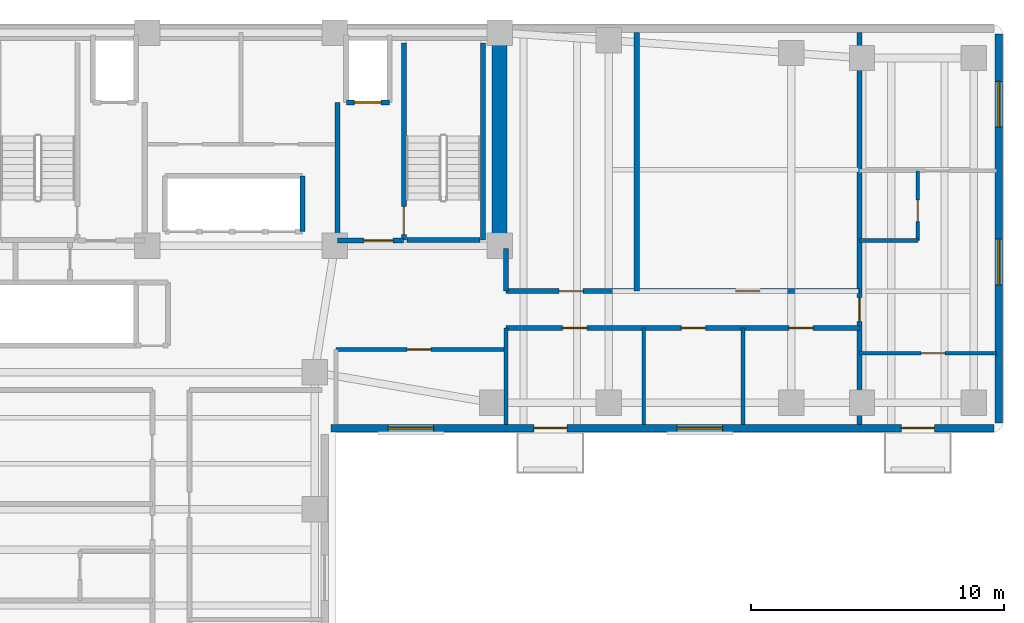
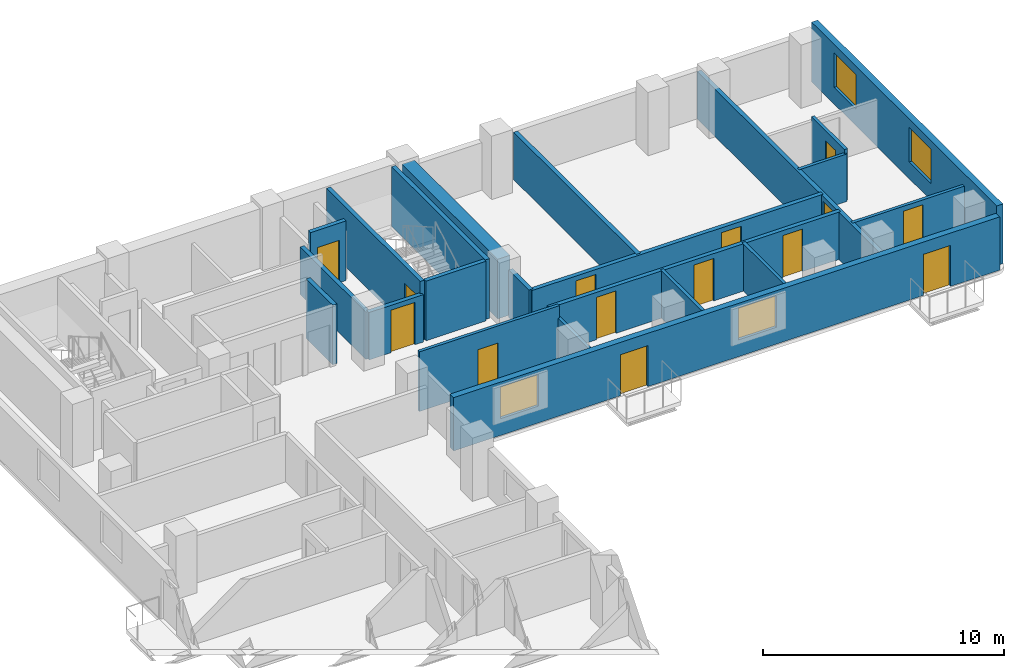
# One storey, part 4 of 7: 22 walls, 14 doors, 4 windows, 18 openings.
"""IFC4 building model written with IfcOpenShell, lengths in metres."""

from ifc_helpers import new_model, si_unit, direction, frame, frame_2d, origin, place, context, subcontext, project, spatial, rectangle, extrude, material, layer, layer_set, type_object, element, fill, save


model = new_model("IFC4")

# Units and contexts
model_context = context("Model", 3, precision=1e-05, world=origin(), true_north=direction((0.0, 1.0)))
body_context = subcontext(model_context, "Body", "Model", "MODEL_VIEW")
ifc_project = project(units=[si_unit("LENGTHUNIT", "METRE"), si_unit("AREAUNIT", "SQUARE_METRE"), si_unit("VOLUMEUNIT", "CUBIC_METRE"), si_unit("PLANEANGLEUNIT", "RADIAN"), si_unit("MASSUNIT", "GRAM", prefix="KILO")], contexts=[model_context])

# Site, building, storey
site_placement = place(None, origin())
site = spatial("IfcSite", under=ifc_project, at=site_placement, CompositionType="ELEMENT")
building_placement = place(site_placement, origin())
building = spatial("IfcBuilding", under=site, at=building_placement, Name="Kuzgunbayir Cultural Tower", CompositionType="ELEMENT")
storey_placement = place(building_placement, frame((0.0, 0.0, 110.60009765625)))
storey = spatial("IfcBuildingStorey", under=building, at=storey_placement, Name="L31", CompositionType="ELEMENT", Elevation=110.60009765625)

# Wall
ifc_material_1 = material(Name="Concrete C60/75", Category="concrete")
ifc_layer_1 = layer(ifc_material_1, 0.60009765625)
ifc_layer_set_1 = layer_set([ifc_layer_1], Name="Concrete C60/75")
wall_type_1 = type_object("IfcWallType", Name="WAL-CORE-600", PredefinedType="SHEAR", material=ifc_layer_set_1)
wall_1_placement = place(storey_placement, frame((26.89990234375, 33.800048828125, 0.0), z_axis=(0.0, 0.0, 1.0), x_axis=(0.0, 1.0, 0.0)))
element("IfcWall", 1, at=wall_1_placement, inside=storey, type_object=wall_type_1, Name="L31 T1 Core East Shear Wall", PredefinedType="SHEAR", context=body_context, shape_type="SweptSolid", body=[
    extrude(rectangle(XDim=7.949951171875, YDim=0.60009765625, at=frame_2d((3.97509765625, 0.0))), origin(), (0.0, 0.0, 1.0), 3.02001953125),
])

# Wall, openings, doors, windows
ifc_material_2 = material(Name="Anatolian Cream Limestone", Category="masonry")
ifc_layer_2 = layer(ifc_material_2, 0.300048828125)
ifc_layer_set_2 = layer_set([ifc_layer_2], Name="Anatolian Cream Limestone")
wall_type_2 = type_object("IfcWallType", Name="WAL-EXT-STONE-300", PredefinedType="STANDARD", material=ifc_layer_set_2)
wall_2_placement = place(storey_placement, frame((20.25, 26.60009765625, 0.0), z_axis=(0.0, 0.0, 1.0), x_axis=(1.0, 0.0, 0.0)))
wall_2 = element("IfcWall", 2, at=wall_2_placement, inside=storey, type_object=wall_type_2, Name="L31 Wing B South Limestone Wall", PredefinedType="STANDARD", context=body_context, shape_type="SweptSolid", body=[
    extrude(rectangle(XDim=26.14990234375, YDim=0.300048828125, at=frame_2d((13.074951171875, 0.0))), origin(), (0.0, 0.0, 1.0), 2.699951171875),
])
opening_1_placement = place(wall_2_placement, frame((8.0, 0.0, 0.0)))
opening_1 = element("IfcOpeningElement", 3, at=opening_1_placement, cuts=wall_2, Name="Opening BD-13", PredefinedType="OPENING", context=body_context, shape_type="SweptSolid", body=[
    extrude(rectangle(XDim=1.300048828125, YDim=2.080078125, at=frame_2d((0.64990234375, 1.0400390625))), frame((0.0, 0.16015625, 0.0), z_axis=(0.0, -1.0, 0.0), x_axis=(1.0, 0.0, 0.0)), (0.0, 0.0, 1.0), 0.320068359375),
])
opening_2_placement = place(wall_2_placement, frame((22.5, 0.0, 0.0)))
opening_2 = element("IfcOpeningElement", 4, at=opening_2_placement, cuts=wall_2, Name="Opening BD-13", PredefinedType="OPENING", context=body_context, shape_type="SweptSolid", body=[
    extrude(rectangle(XDim=1.300048828125, YDim=2.080078125, at=frame_2d((0.64990234375, 1.0400390625))), frame((0.0, 0.16015625, 0.0), z_axis=(0.0, -1.0, 0.0), x_axis=(1.0, 0.0, 0.0)), (0.0, 0.0, 1.0), 0.320068359375),
])
opening_3_placement = place(wall_2_placement, frame((2.25, 0.0, 0.85009765625)))
opening_3 = element("IfcOpeningElement", 5, at=opening_3_placement, cuts=wall_2, Name="Opening WH-18", PredefinedType="OPENING", context=body_context, shape_type="SweptSolid", body=[
    extrude(rectangle(XDim=1.800048828125, YDim=1.60009765625, at=frame_2d((0.89990234375, 0.800048828125))), frame((0.0, 0.16015625, 0.0), z_axis=(0.0, -1.0, 0.0), x_axis=(1.0, 0.0, 0.0)), (0.0, 0.0, 1.0), 0.320068359375),
])
opening_4_placement = place(wall_2_placement, frame((13.64990234375, 0.0, 0.85009765625)))
opening_4 = element("IfcOpeningElement", 6, at=opening_4_placement, cuts=wall_2, Name="Opening WH-18", PredefinedType="OPENING", context=body_context, shape_type="SweptSolid", body=[
    extrude(rectangle(XDim=1.800048828125, YDim=1.60009765625, at=frame_2d((0.89990234375, 0.800048828125))), frame((0.0, 0.16015625, 0.0), z_axis=(0.0, -1.0, 0.0), x_axis=(1.0, 0.0, 0.0)), (0.0, 0.0, 1.0), 0.320068359375),
])
ifc_material_3 = material(Name="Thermally Broken Glazed Aluminium", Category="aluminium")
door_type_1 = type_object("IfcDoorType", Name="DR-BALCONY-135", OperationType="SLIDING_TO_LEFT", PredefinedType="DOOR", material=ifc_material_3)
door_1_placement = place(opening_1_placement, origin())
door_1 = element("IfcDoor", 7, at=door_1_placement, inside=storey, type_object=door_type_1, Name="L31 South Balcony Sliding Door BAL-L31-WB1", OperationType="SLIDING_TO_LEFT", OverallHeight=2.080078125, OverallWidth=1.300048828125, PredefinedType="DOOR", context=body_context, shape_type="SweptSolid", body=[
    extrude(rectangle(XDim=1.300048828125, YDim=2.080078125, at=frame_2d((0.64990234375, 1.0400390625))), frame((0.0, 0.02490234375, 0.0), z_axis=(0.0, -1.0, 0.0), x_axis=(1.0, 0.0, 0.0)), (0.0, 0.0, 1.0), 0.050048828125),
])
fill(opening_1, door_1)
door_2_placement = place(opening_2_placement, origin())
door_2 = element("IfcDoor", 8, at=door_2_placement, inside=storey, type_object=door_type_1, Name="L31 South Balcony Sliding Door BAL-L31-WB3", OperationType="SLIDING_TO_LEFT", OverallHeight=2.080078125, OverallWidth=1.300048828125, PredefinedType="DOOR", context=body_context, shape_type="SweptSolid", body=[
    extrude(rectangle(XDim=1.300048828125, YDim=2.080078125, at=frame_2d((0.64990234375, 1.0400390625))), frame((0.0, 0.02490234375, 0.0), z_axis=(0.0, -1.0, 0.0), x_axis=(1.0, 0.0, 0.0)), (0.0, 0.0, 1.0), 0.050048828125),
])
fill(opening_2, door_2)
ifc_material_4 = material(Name="Solar-Control Triple Glazing", Category="glass")
window_type = type_object("IfcWindowType", Name="WIN-HOTEL-18", PartitioningType="SINGLE_PANEL", PredefinedType="WINDOW", material=ifc_material_4)
window_1_placement = place(opening_3_placement, origin())
window_1 = element("IfcWindow", 9, at=window_1_placement, inside=storey, type_object=window_type, Name="L31 WBS Facade Window 11", OverallHeight=1.60009765625, OverallWidth=1.800048828125, PartitioningType="SINGLE_PANEL", PredefinedType="WINDOW", context=body_context, shape_type="SweptSolid", body=[
    extrude(rectangle(XDim=1.800048828125, YDim=1.60009765625, at=frame_2d((0.89990234375, 0.800048828125))), frame((0.0, 0.030029296875, 0.0), z_axis=(0.0, -1.0, 0.0), x_axis=(1.0, 0.0, 0.0)), (0.0, 0.0, 1.0), 0.06005859375),
])
fill(opening_3, window_1)
window_2_placement = place(opening_4_placement, origin())
window_2 = element("IfcWindow", 10, at=window_2_placement, inside=storey, type_object=window_type, Name="L31 WBS Facade Window 12", OverallHeight=1.60009765625, OverallWidth=1.800048828125, PartitioningType="SINGLE_PANEL", PredefinedType="WINDOW", context=body_context, shape_type="SweptSolid", body=[
    extrude(rectangle(XDim=1.800048828125, YDim=1.60009765625, at=frame_2d((0.89990234375, 0.800048828125))), frame((0.0, 0.030029296875, 0.0), z_axis=(0.0, -1.0, 0.0), x_axis=(1.0, 0.0, 0.0)), (0.0, 0.0, 1.0), 0.06005859375),
])
fill(opening_4, window_2)

# Wall, openings, windows
wall_3_placement = place(storey_placement, frame((46.60009765625, 26.800048828125, 0.0), z_axis=(0.0, 0.0, 1.0), x_axis=(0.0, 1.0, 0.0)))
wall_3 = element("IfcWall", 11, at=wall_3_placement, inside=storey, type_object=wall_type_2, Name="L31 Wing B East Limestone Wall", PredefinedType="STANDARD", context=body_context, shape_type="SweptSolid", body=[
    extrude(rectangle(XDim=15.349853515625, YDim=0.300048828125, at=frame_2d((7.6748046875, 0.0))), origin(), (0.0, 0.0, 1.0), 3.02001953125),
])
opening_5_placement = place(wall_3_placement, frame((5.449951171875, 0.0, 0.85009765625)))
opening_5 = element("IfcOpeningElement", 12, at=opening_5_placement, cuts=wall_3, Name="Opening WH-18", PredefinedType="OPENING", context=body_context, shape_type="SweptSolid", body=[
    extrude(rectangle(XDim=1.800048828125, YDim=1.75, at=frame_2d((0.89990234375, 0.875))), frame((0.0, 0.16015625, 0.0), z_axis=(0.0, -1.0, 0.0), x_axis=(1.0, 0.0, 0.0)), (0.0, 0.0, 1.0), 0.320068359375),
])
opening_6_placement = place(wall_3_placement, frame((11.679931640625, 0.0, 0.85009765625)))
opening_6 = element("IfcOpeningElement", 13, at=opening_6_placement, cuts=wall_3, Name="Opening WH-18", PredefinedType="OPENING", context=body_context, shape_type="SweptSolid", body=[
    extrude(rectangle(XDim=1.800048828125, YDim=1.75, at=frame_2d((0.89990234375, 0.875))), frame((0.0, 0.16015625, 0.0), z_axis=(0.0, -1.0, 0.0), x_axis=(1.0, 0.0, 0.0)), (0.0, 0.0, 1.0), 0.320068359375),
])
window_3_placement = place(opening_5_placement, origin())
window_3 = element("IfcWindow", 14, at=window_3_placement, inside=storey, type_object=window_type, Name="L31 WBE Facade Window 4", OverallHeight=1.75, OverallWidth=1.800048828125, PartitioningType="SINGLE_PANEL", PredefinedType="WINDOW", context=body_context, shape_type="SweptSolid", body=[
    extrude(rectangle(XDim=1.800048828125, YDim=1.75, at=frame_2d((0.89990234375, 0.875))), frame((0.0, 0.030029296875, 0.0), z_axis=(0.0, -1.0, 0.0), x_axis=(1.0, 0.0, 0.0)), (0.0, 0.0, 1.0), 0.06005859375),
])
fill(opening_5, window_3)
window_4_placement = place(opening_6_placement, origin())
window_4 = element("IfcWindow", 15, at=window_4_placement, inside=storey, type_object=window_type, Name="L31 WBE Facade Window 5", OverallHeight=1.75, OverallWidth=1.800048828125, PartitioningType="SINGLE_PANEL", PredefinedType="WINDOW", context=body_context, shape_type="SweptSolid", body=[
    extrude(rectangle(XDim=1.800048828125, YDim=1.75, at=frame_2d((0.89990234375, 0.875))), frame((0.0, 0.030029296875, 0.0), z_axis=(0.0, -1.0, 0.0), x_axis=(1.0, 0.0, 0.0)), (0.0, 0.0, 1.0), 0.06005859375),
])
fill(opening_6, window_4)

# Wall, opening, door
ifc_material_5 = material(Name="Acoustic Double-Stud Drywall", Category="gypsum")
ifc_layer_3 = layer(ifc_material_5, 0.14990234375)
ifc_layer_set_3 = layer_set([ifc_layer_3], Name="Acoustic Double-Stud Drywall")
wall_type_3 = type_object("IfcWallType", Name="WAL-PART-ACOUSTIC-150", PredefinedType="PARTITIONING", material=ifc_layer_set_3)
wall_4_placement = place(storey_placement, frame((20.449951171875, 29.699951171875, 0.0), z_axis=(0.0, 0.0, 1.0), x_axis=(1.0, 0.0, 0.0)))
wall_4 = element("IfcWall", 16, at=wall_4_placement, inside=storey, type_object=wall_type_3, Name="L31 Waist Alcove North Wall", PredefinedType="PARTITIONING", context=body_context, shape_type="SweptSolid", body=[
    extrude(rectangle(XDim=6.699951171875, YDim=0.14990234375, at=frame_2d((3.35009765625, 0.0))), origin(), (0.0, 0.0, 1.0), 3.02001953125),
])
opening_7_placement = place(wall_4_placement, frame((2.800048828125, 0.0, 0.0)))
opening_7 = element("IfcOpeningElement", 17, at=opening_7_placement, cuts=wall_4, Name="Opening DI-90", PredefinedType="OPENING", context=body_context, shape_type="SweptSolid", body=[
    extrude(rectangle(XDim=0.949951171875, YDim=2.14990234375, at=frame_2d((0.47509765625, 1.074951171875))), frame((0.0, 0.0849609375, 0.0), z_axis=(0.0, -1.0, 0.0), x_axis=(1.0, 0.0, 0.0)), (0.0, 0.0, 1.0), 0.169921875),
])
ifc_material_6 = material(Name="Veneered Oak Single Leaf", Category="wood")
door_type_2 = type_object("IfcDoorType", Name="DR-INT-90", OperationType="NOTDEFINED", PredefinedType="DOOR", material=ifc_material_6)
door_3_placement = place(opening_7_placement, origin())
door_3 = element("IfcDoor", 18, at=door_3_placement, inside=storey, type_object=door_type_2, Name="L31 Waist Alcove Door", OperationType="SINGLE_SWING_RIGHT", OverallHeight=2.14990234375, OverallWidth=0.949951171875, PredefinedType="DOOR", context=body_context, shape_type="SweptSolid", body=[
    extrude(rectangle(XDim=0.949951171875, YDim=2.14990234375, at=frame_2d((0.47509765625, 1.074951171875))), frame((0.0, 0.02490234375, 0.0), z_axis=(0.0, -1.0, 0.0), x_axis=(1.0, 0.0, 0.0)), (0.0, 0.0, 1.0), 0.050048828125),
])
fill(opening_7, door_3)

# Walls
for number, where, z_axis, x_axis, name in (
    (19, (27.14990234375, 26.75, 0.0), (0.0, 0.0, 1.0), (0.0, 1.0, 0.0), "L31 Waist Alcove East Wall"),
    (20, (32.590087890625, 26.75, 0.0), (0.0, 0.0, 1.0), (0.0, 1.0, 0.0), "L31 Wing B South Divider 1"),
    (21, (36.5, 26.75, 0.0), (0.0, 0.0, 1.0), (0.0, 1.0, 0.0), "L31 Wing B South Divider 2"),
):
    element("IfcWall", number, at=place(storey_placement, frame(where, z_axis=z_axis, x_axis=x_axis)), inside=storey, type_object=wall_type_3, Name=name, PredefinedType="PARTITIONING", context=body_context, shape_type="SweptSolid", body=[
        extrude(rectangle(XDim=3.800048828125, YDim=0.14990234375, at=frame_2d((1.89990234375, 0.0))), origin(), (0.0, 0.0, 1.0), 2.39990234375),
    ])
ifc_material_7 = material(Name="Aerated Concrete Blockwork", Category="masonry")
ifc_layer_4 = layer(ifc_material_7, 0.199951171875)
ifc_layer_set_4 = layer_set([ifc_layer_4], Name="Aerated Concrete Blockwork")
wall_type_4 = type_object("IfcWallType", Name="WAL-PART-FIRE-200", PredefinedType="PARTITIONING", material=ifc_layer_set_4)
wall_5_placement = place(storey_placement, frame((20.5, 34.0, 0.0), z_axis=(0.0, 0.0, 1.0), x_axis=(0.0, 1.0, 0.0)))
element("IfcWall", 22, at=wall_5_placement, inside=storey, type_object=wall_type_4, Name="L31 FFL-2 Lobby West Fire Wall", PredefinedType="PARTITIONING", context=body_context, shape_type="SweptSolid", body=[
    extrude(rectangle(XDim=5.449951171875, YDim=0.199951171875, at=frame_2d((2.72509765625, 0.0))), origin(), (0.0, 0.0, 1.0), 2.39990234375),
])

# Wall, opening, door
wall_6_placement = place(storey_placement, frame((20.5, 34.0, 0.0), z_axis=(0.0, 0.0, 1.0), x_axis=(1.0, 0.0, 0.0)))
wall_6 = element("IfcWall", 23, at=wall_6_placement, inside=storey, type_object=wall_type_4, Name="L31 FFL-2 Lobby South Fire Wall", PredefinedType="PARTITIONING", context=body_context, shape_type="SweptSolid", body=[
    extrude(rectangle(XDim=2.60009765625, YDim=0.199951171875, at=frame_2d((1.300048828125, 0.0))), origin(), (0.0, 0.0, 1.0), 2.39990234375),
])
opening_8_placement = place(wall_6_placement, frame((1.050048828125, 0.0, 0.0)))
opening_8 = element("IfcOpeningElement", 24, at=opening_8_placement, cuts=wall_6, Name="Opening DR-FFL-90", PredefinedType="OPENING", context=body_context, shape_type="SweptSolid", body=[
    extrude(rectangle(XDim=1.14990234375, YDim=2.14990234375, at=frame_2d((0.574951171875, 1.074951171875))), frame((0.0, 0.10986328125, 0.0), z_axis=(0.0, -1.0, 0.0), x_axis=(1.0, 0.0, 0.0)), (0.0, 0.0, 1.0), 0.219970703125),
])
ifc_material_8 = material(Name="Steel S355J2", Category="steel")
door_type_3 = type_object("IfcDoorType", Name="DR-FFL-90", OperationType="NOTDEFINED", PredefinedType="DOOR", material=ifc_material_8)
door_4_placement = place(opening_8_placement, origin())
door_4 = element("IfcDoor", 25, at=door_4_placement, inside=storey, type_object=door_type_3, Name="L31 Firefighting Lobby 2 Door", OperationType="SINGLE_SWING_RIGHT", OverallHeight=2.14990234375, OverallWidth=1.14990234375, PredefinedType="DOOR", context=body_context, shape_type="SweptSolid", body=[
    extrude(rectangle(XDim=1.14990234375, YDim=2.14990234375, at=frame_2d((0.574951171875, 1.074951171875))), frame((0.0, 0.02490234375, 0.0), z_axis=(0.0, -1.0, 0.0), x_axis=(1.0, 0.0, 0.0)), (0.0, 0.0, 1.0), 0.050048828125),
])
fill(opening_8, door_4)

# Wall, openings, doors
wall_7_placement = place(storey_placement, frame((27.14990234375, 30.550048828125, 0.0), z_axis=(0.0, 0.0, 1.0), x_axis=(1.0, 0.0, 0.0)))
wall_7 = element("IfcWall", 26, at=wall_7_placement, inside=storey, type_object=wall_type_4, Name="L31 Wing B Hotel Corridor South Wall", PredefinedType="PARTITIONING", context=body_context, shape_type="SweptSolid", body=[
    extrude(rectangle(XDim=13.9501953125, YDim=0.199951171875, at=frame_2d((6.97509765625, 0.0))), origin(), (0.0, 0.0, 1.0), 2.39990234375),
])
opening_9_placement = place(wall_7_placement, frame((2.239990234375, 0.0, 0.0)))
opening_9 = element("IfcOpeningElement", 27, at=opening_9_placement, cuts=wall_7, Name="Opening DI-90", PredefinedType="OPENING", context=body_context, shape_type="SweptSolid", body=[
    extrude(rectangle(XDim=0.949951171875, YDim=2.14990234375, at=frame_2d((0.47509765625, 1.074951171875))), frame((0.0, 0.10986328125, 0.0), z_axis=(0.0, -1.0, 0.0), x_axis=(1.0, 0.0, 0.0)), (0.0, 0.0, 1.0), 0.219970703125),
])
opening_10_placement = place(wall_7_placement, frame((6.919921875, 0.0, 0.0)))
opening_10 = element("IfcOpeningElement", 28, at=opening_10_placement, cuts=wall_7, Name="Opening DI-90", PredefinedType="OPENING", context=body_context, shape_type="SweptSolid", body=[
    extrude(rectangle(XDim=0.949951171875, YDim=2.14990234375, at=frame_2d((0.47509765625, 1.074951171875))), frame((0.0, 0.10986328125, 0.0), z_axis=(0.0, -1.0, 0.0), x_axis=(1.0, 0.0, 0.0)), (0.0, 0.0, 1.0), 0.219970703125),
])
opening_11_placement = place(wall_7_placement, frame((11.169921875, 0.0, 0.0)))
opening_11 = element("IfcOpeningElement", 29, at=opening_11_placement, cuts=wall_7, Name="Opening DI-90", PredefinedType="OPENING", context=body_context, shape_type="SweptSolid", body=[
    extrude(rectangle(XDim=0.949951171875, YDim=2.14990234375, at=frame_2d((0.47509765625, 1.074951171875))), frame((0.0, 0.10986328125, 0.0), z_axis=(0.0, -1.0, 0.0), x_axis=(1.0, 0.0, 0.0)), (0.0, 0.0, 1.0), 0.219970703125),
])
door_5_placement = place(opening_9_placement, origin())
door_5 = element("IfcDoor", 30, at=door_5_placement, inside=storey, type_object=door_type_2, Name="L31 Seminar Boardroom B1 Door", OperationType="SINGLE_SWING_LEFT", OverallHeight=2.14990234375, OverallWidth=0.949951171875, PredefinedType="DOOR", context=body_context, shape_type="SweptSolid", body=[
    extrude(rectangle(XDim=0.949951171875, YDim=2.14990234375, at=frame_2d((0.47509765625, 1.074951171875))), frame((0.0, 0.02490234375, 0.0), z_axis=(0.0, -1.0, 0.0), x_axis=(1.0, 0.0, 0.0)), (0.0, 0.0, 1.0), 0.050048828125),
])
fill(opening_9, door_5)
door_6_placement = place(opening_10_placement, origin())
door_6 = element("IfcDoor", 31, at=door_6_placement, inside=storey, type_object=door_type_2, Name="L31 Seminar Boardroom B2 Door", OperationType="SINGLE_SWING_RIGHT", OverallHeight=2.14990234375, OverallWidth=0.949951171875, PredefinedType="DOOR", context=body_context, shape_type="SweptSolid", body=[
    extrude(rectangle(XDim=0.949951171875, YDim=2.14990234375, at=frame_2d((0.47509765625, 1.074951171875))), frame((0.0, 0.02490234375, 0.0), z_axis=(0.0, -1.0, 0.0), x_axis=(1.0, 0.0, 0.0)), (0.0, 0.0, 1.0), 0.050048828125),
])
fill(opening_10, door_6)
door_7_placement = place(opening_11_placement, origin())
door_7 = element("IfcDoor", 32, at=door_7_placement, inside=storey, type_object=door_type_2, Name="L31 Seminar Boardroom B3 Door", OperationType="SINGLE_SWING_LEFT", OverallHeight=2.14990234375, OverallWidth=0.949951171875, PredefinedType="DOOR", context=body_context, shape_type="SweptSolid", body=[
    extrude(rectangle(XDim=0.949951171875, YDim=2.14990234375, at=frame_2d((0.47509765625, 1.074951171875))), frame((0.0, 0.02490234375, 0.0), z_axis=(0.0, -1.0, 0.0), x_axis=(1.0, 0.0, 0.0)), (0.0, 0.0, 1.0), 0.050048828125),
])
fill(opening_11, door_7)

wall_8_placement = place(storey_placement, frame((27.14990234375, 32.0, 0.0), z_axis=(0.0, 0.0, 1.0), x_axis=(1.0, 0.0, 0.0)))
wall_8 = element("IfcWall", 33, at=wall_8_placement, inside=storey, type_object=wall_type_4, Name="L31 Wing B Hotel Corridor North Wall", PredefinedType="PARTITIONING", context=body_context, shape_type="SweptSolid", body=[
    extrude(rectangle(XDim=13.9501953125, YDim=0.199951171875, at=frame_2d((6.97509765625, 0.0))), origin(), (0.0, 0.0, 1.0), 2.39990234375),
])
opening_12_placement = place(wall_8_placement, frame((2.10009765625, 0.0, 0.0)))
opening_12 = element("IfcOpeningElement", 34, at=opening_12_placement, cuts=wall_8, Name="Opening DI-90", PredefinedType="OPENING", context=body_context, shape_type="SweptSolid", body=[
    extrude(rectangle(XDim=0.949951171875, YDim=2.14990234375, at=frame_2d((0.47509765625, 1.074951171875))), frame((0.0, 0.10986328125, 0.0), z_axis=(0.0, -1.0, 0.0), x_axis=(1.0, 0.0, 0.0)), (0.0, 0.0, 1.0), 0.219970703125),
])
opening_13_placement = place(wall_8_placement, frame((9.070068359375, 0.0, 0.0)))
opening_13 = element("IfcOpeningElement", 35, at=opening_13_placement, cuts=wall_8, Name="Opening DI-90", PredefinedType="OPENING", context=body_context, shape_type="SweptSolid", body=[
    extrude(rectangle(XDim=0.949951171875, YDim=2.14990234375, at=frame_2d((0.47509765625, 1.074951171875))), frame((0.0, 0.10986328125, 0.0), z_axis=(0.0, -1.0, 0.0), x_axis=(1.0, 0.0, 0.0)), (0.0, 0.0, 1.0), 0.219970703125),
])
door_8_placement = place(opening_12_placement, origin())
door_8 = element("IfcDoor", 36, at=door_8_placement, inside=storey, type_object=door_type_2, Name="L31 North Seminar Boardroom 1 Door", OperationType="SINGLE_SWING_RIGHT", OverallHeight=2.14990234375, OverallWidth=0.949951171875, PredefinedType="DOOR", context=body_context, shape_type="SweptSolid", body=[
    extrude(rectangle(XDim=0.949951171875, YDim=2.14990234375, at=frame_2d((0.47509765625, 1.074951171875))), frame((0.0, 0.02490234375, 0.0), z_axis=(0.0, -1.0, 0.0), x_axis=(1.0, 0.0, 0.0)), (0.0, 0.0, 1.0), 0.050048828125),
])
fill(opening_12, door_8)
door_9_placement = place(opening_13_placement, origin())
door_9 = element("IfcDoor", 37, at=door_9_placement, inside=storey, type_object=door_type_2, Name="L31 North Culinary Tasting Pantry 2 Door", OperationType="SINGLE_SWING_LEFT", OverallHeight=2.14990234375, OverallWidth=0.949951171875, PredefinedType="DOOR", context=body_context, shape_type="SweptSolid", body=[
    extrude(rectangle(XDim=0.949951171875, YDim=2.14990234375, at=frame_2d((0.47509765625, 1.074951171875))), frame((0.0, 0.02490234375, 0.0), z_axis=(0.0, -1.0, 0.0), x_axis=(1.0, 0.0, 0.0)), (0.0, 0.0, 1.0), 0.050048828125),
])
fill(opening_13, door_9)

# Wall
wall_9_placement = place(storey_placement, frame((27.14990234375, 32.0, 0.0), z_axis=(0.0, 0.0, 1.0), x_axis=(0.0, 1.0, 0.0)))
element("IfcWall", 38, at=wall_9_placement, inside=storey, type_object=wall_type_4, Name="L31 Wing B North Core Closure Wall", PredefinedType="PARTITIONING", context=body_context, shape_type="SweptSolid", body=[
    extrude(rectangle(XDim=1.679931640625, YDim=0.199951171875, at=frame_2d((0.83984375, 0.0))), origin(), (0.0, 0.0, 1.0), 2.39990234375),
])

# Wall, opening, door
wall_10_placement = place(storey_placement, frame((41.10009765625, 26.75, 0.0), z_axis=(0.0, 0.0, 1.0), x_axis=(0.0, 1.0, 0.0)))
wall_10 = element("IfcWall", 39, at=wall_10_placement, inside=storey, type_object=wall_type_4, Name="L31 Wing B East Suite Wall", PredefinedType="PARTITIONING", context=body_context, shape_type="SweptSolid", body=[
    extrude(rectangle(XDim=15.449951171875, YDim=0.199951171875, at=frame_2d((7.72509765625, 0.0))), origin(), (0.0, 0.0, 1.0), 2.39990234375),
])
opening_14_placement = place(wall_10_placement, frame((4.050048828125, 0.0, 0.0)))
opening_14 = element("IfcOpeningElement", 40, at=opening_14_placement, cuts=wall_10, Name="Opening DR-APT-60", PredefinedType="OPENING", context=body_context, shape_type="SweptSolid", body=[
    extrude(rectangle(XDim=0.949951171875, YDim=2.14990234375, at=frame_2d((0.47509765625, 1.074951171875))), frame((0.0, 0.10986328125, 0.0), z_axis=(0.0, -1.0, 0.0), x_axis=(1.0, 0.0, 0.0)), (0.0, 0.0, 1.0), 0.219970703125),
])
ifc_material_9 = material(Name="Acoustic Fire Timber Leaf", Category="wood")
door_type_4 = type_object("IfcDoorType", Name="DR-APT-60", OperationType="NOTDEFINED", PredefinedType="DOOR", material=ifc_material_9)
door_10_placement = place(opening_14_placement, origin())
door_10 = element("IfcDoor", 41, at=door_10_placement, inside=storey, type_object=door_type_4, Name="L31 Corner Suite Entrance", OperationType="SINGLE_SWING_LEFT", OverallHeight=2.14990234375, OverallWidth=0.949951171875, PredefinedType="DOOR", context=body_context, shape_type="SweptSolid", body=[
    extrude(rectangle(XDim=0.949951171875, YDim=2.14990234375, at=frame_2d((0.47509765625, 1.074951171875))), frame((0.0, 0.02490234375, 0.0), z_axis=(0.0, -1.0, 0.0), x_axis=(1.0, 0.0, 0.0)), (0.0, 0.0, 1.0), 0.050048828125),
])
fill(opening_14, door_10)

# Wall
wall_11_placement = place(storey_placement, frame((32.31005859375, 32.0, 0.0), z_axis=(0.0, 0.0, 1.0), x_axis=(0.0, 1.0, 0.0)))
element("IfcWall", 42, at=wall_11_placement, inside=storey, type_object=wall_type_4, Name="L31 Wing B North Party Wall 1", PredefinedType="PARTITIONING", context=body_context, shape_type="SweptSolid", body=[
    extrude(rectangle(XDim=10.199951171875, YDim=0.199951171875, at=frame_2d((5.10009765625, 0.0))), origin(), (0.0, 0.0, 1.0), 2.39990234375),
])

# Wall, opening, door
ifc_material_10 = material(Name="Moisture-Resistant Tile Partition", Category="gypsum")
ifc_layer_5 = layer(ifc_material_10, 0.14990234375)
ifc_layer_set_5 = layer_set([ifc_layer_5], Name="Moisture-Resistant Tile Partition")
wall_type_5 = type_object("IfcWallType", Name="WAL-PART-WET-150", PredefinedType="PARTITIONING", material=ifc_layer_set_5)
wall_12_placement = place(storey_placement, frame((41.10009765625, 29.550048828125, 0.0), z_axis=(0.0, 0.0, 1.0), x_axis=(1.0, 0.0, 0.0)))
wall_12 = element("IfcWall", 43, at=wall_12_placement, inside=storey, type_object=wall_type_5, Name="L31 Corner Suite Kitchen Wall", PredefinedType="PARTITIONING", context=body_context, shape_type="SweptSolid", body=[
    extrude(rectangle(XDim=5.39990234375, YDim=0.14990234375, at=frame_2d((2.699951171875, 0.0))), origin(), (0.0, 0.0, 1.0), 2.39990234375),
])
opening_15_placement = place(wall_12_placement, frame((2.429931640625, 0.0, 0.0)))
opening_15 = element("IfcOpeningElement", 44, at=opening_15_placement, cuts=wall_12, Name="Opening DI-90", PredefinedType="OPENING", context=body_context, shape_type="SweptSolid", body=[
    extrude(rectangle(XDim=0.949951171875, YDim=2.14990234375, at=frame_2d((0.47509765625, 1.074951171875))), frame((0.0, 0.0849609375, 0.0), z_axis=(0.0, -1.0, 0.0), x_axis=(1.0, 0.0, 0.0)), (0.0, 0.0, 1.0), 0.169921875),
])
door_11_placement = place(opening_15_placement, origin())
door_11 = element("IfcDoor", 45, at=door_11_placement, inside=storey, type_object=door_type_2, Name="L31 Corner Suite Kitchen Door", OperationType="SINGLE_SWING_RIGHT", OverallHeight=2.14990234375, OverallWidth=0.949951171875, PredefinedType="DOOR", context=body_context, shape_type="SweptSolid", body=[
    extrude(rectangle(XDim=0.949951171875, YDim=2.14990234375, at=frame_2d((0.47509765625, 1.074951171875))), frame((0.0, 0.02490234375, 0.0), z_axis=(0.0, -1.0, 0.0), x_axis=(1.0, 0.0, 0.0)), (0.0, 0.0, 1.0), 0.050048828125),
])
fill(opening_15, door_11)

# Wall
wall_13_placement = place(storey_placement, frame((41.10009765625, 34.0, 0.0), z_axis=(0.0, 0.0, 1.0), x_axis=(1.0, 0.0, 0.0)))
element("IfcWall", 46, at=wall_13_placement, inside=storey, type_object=wall_type_5, Name="L31 Corner Suite Bath South Wall", PredefinedType="PARTITIONING", context=body_context, shape_type="SweptSolid", body=[
    extrude(rectangle(XDim=2.2998046875, YDim=0.14990234375, at=frame_2d((1.14990234375, 0.0))), origin(), (0.0, 0.0, 1.0), 2.39990234375),
])

# Wall, opening, door
wall_14_placement = place(storey_placement, frame((43.39990234375, 34.0, 0.0), z_axis=(0.0, 0.0, 1.0), x_axis=(0.0, 1.0, 0.0)))
wall_14 = element("IfcWall", 47, at=wall_14_placement, inside=storey, type_object=wall_type_5, Name="L31 Corner Suite Bath East Wall", PredefinedType="PARTITIONING", context=body_context, shape_type="SweptSolid", body=[
    extrude(rectangle(XDim=2.75, YDim=0.14990234375, at=frame_2d((1.375, 0.0))), origin(), (0.0, 0.0, 1.0), 2.599853515625),
])
opening_16_placement = place(wall_14_placement, frame((0.75, 0.0, 0.0)))
opening_16 = element("IfcOpeningElement", 48, at=opening_16_placement, cuts=wall_14, Name="Opening DW-85", PredefinedType="OPENING", context=body_context, shape_type="SweptSolid", body=[
    extrude(rectangle(XDim=0.85009765625, YDim=2.10009765625, at=frame_2d((0.425048828125, 1.050048828125))), frame((0.0, 0.0849609375, 0.0), z_axis=(0.0, -1.0, 0.0), x_axis=(1.0, 0.0, 0.0)), (0.0, 0.0, 1.0), 0.169921875),
])
ifc_material_11 = material(Name="Laminate Moisture-Resistant Leaf", Category="wood")
door_type_5 = type_object("IfcDoorType", Name="DR-WET-85", OperationType="NOTDEFINED", PredefinedType="DOOR", material=ifc_material_11)
door_12_placement = place(opening_16_placement, origin())
door_12 = element("IfcDoor", 49, at=door_12_placement, inside=storey, type_object=door_type_5, Name="L31 Corner Suite Bathroom Door", OperationType="SINGLE_SWING_LEFT", OverallHeight=2.10009765625, OverallWidth=0.85009765625, PredefinedType="DOOR", context=body_context, shape_type="SweptSolid", body=[
    extrude(rectangle(XDim=0.85009765625, YDim=2.10009765625, at=frame_2d((0.425048828125, 1.050048828125))), frame((0.0, 0.02490234375, 0.0), z_axis=(0.0, -1.0, 0.0), x_axis=(1.0, 0.0, 0.0)), (0.0, 0.0, 1.0), 0.050048828125),
])
fill(opening_16, door_12)

ifc_material_12 = material(Name="Concrete C40/50", Category="concrete")
ifc_layer_6 = layer(ifc_material_12, 0.199951171875)
ifc_layer_set_6 = layer_set([ifc_layer_6], Name="Concrete C40/50")
wall_type_6 = type_object("IfcWallType", Name="WAL-SHAFT-200", PredefinedType="MOVABLE", material=ifc_layer_set_6)
wall_15_placement = place(storey_placement, frame((20.85009765625, 39.449951171875, 0.0), z_axis=(0.0, 0.0, 1.0), x_axis=(1.0, 0.0, 0.0)))
wall_15 = element("IfcWall", 50, at=wall_15_placement, inside=storey, type_object=wall_type_6, Name="L31 FFL-2 Lift Front Wall", PredefinedType="MOVABLE", context=body_context, shape_type="SweptSolid", body=[
    extrude(rectangle(XDim=1.699951171875, YDim=0.199951171875, at=frame_2d((0.85009765625, 0.0))), origin(), (0.0, 0.0, 1.0), 3.02001953125),
])
opening_17_placement = place(wall_15_placement, frame((0.320068359375, 0.0, 0.0)))
opening_17 = element("IfcOpeningElement", 51, at=opening_17_placement, cuts=wall_15, Name="Opening LD", PredefinedType="OPENING", context=body_context, shape_type="SweptSolid", body=[
    extrude(rectangle(XDim=1.050048828125, YDim=2.14990234375, at=frame_2d((0.52490234375, 1.074951171875))), frame((0.0, 0.10986328125, 0.0), z_axis=(0.0, -1.0, 0.0), x_axis=(1.0, 0.0, 0.0)), (0.0, 0.0, 1.0), 0.219970703125),
])
ifc_material_13 = material(Name="Brushed Stainless Steel", Category="steel")
door_type_6 = type_object("IfcDoorType", Name="DR-LIFT-LANDING", OperationType="SLIDING_TO_LEFT", PredefinedType="DOOR", material=ifc_material_13)
door_13_placement = place(opening_17_placement, origin())
door_13 = element("IfcDoor", 52, at=door_13_placement, inside=storey, type_object=door_type_6, Name="L31 Lift FFL-2 Landing Door", OperationType="SLIDING_TO_LEFT", OverallHeight=2.14990234375, OverallWidth=1.050048828125, PredefinedType="DOOR", context=body_context, shape_type="SweptSolid", body=[
    extrude(rectangle(XDim=1.050048828125, YDim=2.14990234375, at=frame_2d((0.52490234375, 1.074951171875))), frame((0.0, 0.02490234375, 0.0), z_axis=(0.0, -1.0, 0.0), x_axis=(1.0, 0.0, 0.0)), (0.0, 0.0, 1.0), 0.050048828125),
])
fill(opening_17, door_13)

# Wall
wall_16_placement = place(storey_placement, frame((19.1201171875, 34.35009765625, 0.0), z_axis=(0.0, 0.0, 1.0), x_axis=(0.0, 1.0, 0.0)))
element("IfcWall", 53, at=wall_16_placement, inside=storey, type_object=wall_type_6, Name="L31 Mid-Rise Lift Shaft East Wall", PredefinedType="MOVABLE", context=body_context, shape_type="SweptSolid", body=[
    extrude(rectangle(XDim=2.199951171875, YDim=0.199951171875, at=frame_2d((1.10009765625, 0.0))), origin(), (0.0, 0.0, 1.0), 3.02001953125),
])

# Wall, opening, door
ifc_layer_7 = layer(ifc_material_12, 0.199951171875)
ifc_layer_set_7 = layer_set([ifc_layer_7], Name="Concrete C40/50")
wall_type_7 = type_object("IfcWallType", Name="WAL-STAIR-RC-200", PredefinedType="SHEAR", material=ifc_layer_set_7)
wall_17_placement = place(storey_placement, frame((23.1201171875, 34.02001953125, 0.0), z_axis=(0.0, 0.0, 1.0), x_axis=(0.0, 1.0, 0.0)))
wall_17 = element("IfcWall", 54, at=wall_17_placement, inside=storey, type_object=wall_type_7, Name="L31 Stair ST-2 West Structural Wall", PredefinedType="SHEAR", context=body_context, shape_type="SweptSolid", body=[
    extrude(rectangle(XDim=7.780029296875, YDim=0.199951171875, at=frame_2d((3.89013671875, 0.0))), origin(), (0.0, 0.0, 1.0), 3.02001953125),
])
opening_18_placement = place(wall_17_placement, frame((0.219970703125, 0.0, 0.0)))
opening_18 = element("IfcOpeningElement", 55, at=opening_18_placement, cuts=wall_17, Name="Opening DR-STAIR-90", PredefinedType="OPENING", context=body_context, shape_type="SweptSolid", body=[
    extrude(rectangle(XDim=1.10009765625, YDim=2.14990234375, at=frame_2d((0.550048828125, 1.074951171875))), frame((0.0, 0.10986328125, 0.0), z_axis=(0.0, -1.0, 0.0), x_axis=(1.0, 0.0, 0.0)), (0.0, 0.0, 1.0), 0.219970703125),
])
door_type_7 = type_object("IfcDoorType", Name="DR-STAIR-90", OperationType="NOTDEFINED", PredefinedType="DOOR", material=ifc_material_8)
door_14_placement = place(opening_18_placement, origin())
door_14 = element("IfcDoor", 56, at=door_14_placement, inside=storey, type_object=door_type_7, Name="L31 Stair ST-2 Fire Door", OperationType="SINGLE_SWING_LEFT", OverallHeight=2.14990234375, OverallWidth=1.10009765625, PredefinedType="DOOR", context=body_context, shape_type="SweptSolid", body=[
    extrude(rectangle(XDim=1.10009765625, YDim=2.14990234375, at=frame_2d((0.550048828125, 1.074951171875))), frame((0.0, 0.02490234375, 0.0), z_axis=(0.0, -1.0, 0.0), x_axis=(1.0, 0.0, 0.0)), (0.0, 0.0, 1.0), 0.050048828125),
])
fill(opening_18, door_14)

# Walls
wall_18_placement = place(storey_placement, frame((26.239990234375, 34.02001953125, 0.0), z_axis=(0.0, 0.0, 1.0), x_axis=(0.0, 1.0, 0.0)))
element("IfcWall", 57, at=wall_18_placement, inside=storey, type_object=wall_type_7, Name="L31 Stair ST-2 East Structural Wall", PredefinedType="SHEAR", context=body_context, shape_type="SweptSolid", body=[
    extrude(rectangle(XDim=7.780029296875, YDim=0.199951171875, at=frame_2d((3.89013671875, 0.0))), origin(), (0.0, 0.0, 1.0), 3.02001953125),
])
wall_19_placement = place(storey_placement, frame((23.239990234375, 34.02001953125, 0.0), z_axis=(0.0, 0.0, 1.0), x_axis=(1.0, 0.0, 0.0)))
element("IfcWall", 58, at=wall_19_placement, inside=storey, type_object=wall_type_7, Name="L31 Stair ST-2 South Structural Wall", PredefinedType="SHEAR", context=body_context, shape_type="SweptSolid", body=[
    extrude(rectangle(XDim=2.880126953125, YDim=0.199951171875, at=frame_2d((1.43994140625, 0.0))), origin(), (0.0, 0.0, 1.0), 3.02001953125),
])

save(model, "model.ifc")
